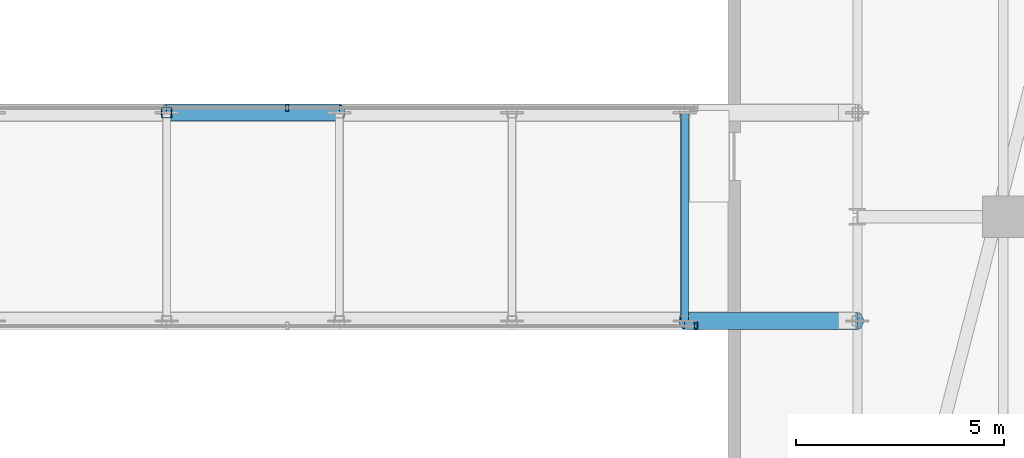
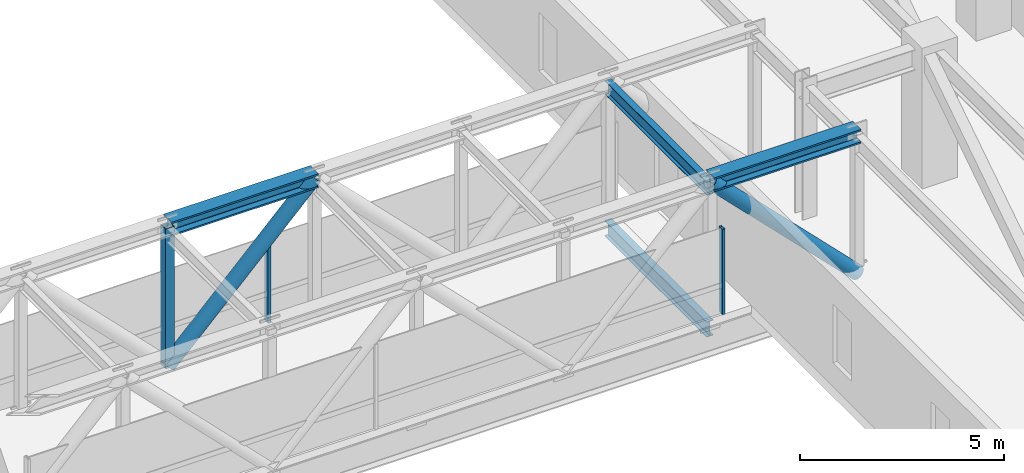
# One storey, part 10 of 42: 7 members, 2 beams, 2 elements without a shape of their own.
"""IFC4 building model written with IfcOpenShell, lengths in metres."""

from ifc_helpers import new_model, si_unit, direction, frame, origin, origin_2d, place, context, subcontext, project, spatial, hollow_rectangle, hollow_circle, i_section, extrude, material, material_profile, profile_set, type_object, element, aggregate, save


model = new_model("IFC4")

# Units and contexts
model_context = context("Model", 3, precision=1e-05, world=origin(), true_north=direction((0.0, 1.0)))
body_context = subcontext(model_context, "Body", "Model", "MODEL_VIEW")
ifc_project = project(units=[si_unit("LENGTHUNIT", "METRE"), si_unit("AREAUNIT", "SQUARE_METRE"), si_unit("VOLUMEUNIT", "CUBIC_METRE"), si_unit("PLANEANGLEUNIT", "RADIAN"), si_unit("MASSUNIT", "GRAM", prefix="KILO")], contexts=[model_context])

# Site, building, storey
site_placement = place(None, origin())
site = spatial("IfcSite", under=ifc_project, at=site_placement, CompositionType="ELEMENT")
building_placement = place(site_placement, origin())
building = spatial("IfcBuilding", under=site, at=building_placement, Name="Thornwick Lancets Civic Towers", CompositionType="ELEMENT")
storey_placement = place(building_placement, frame((0.0, 0.0, 221.699951171875)))
storey = spatial("IfcBuildingStorey", under=building, at=storey_placement, Name="L59", CompositionType="ELEMENT", Elevation=221.699951171875)

# Beams
ifc_material_1 = material(Name="Steel S355JR", Category="steel")
ifc_material_profile_1 = material_profile(ifc_material_1, i_section(OverallWidth=0.179443359375, OverallDepth=0.412841796875, WebThickness=0.009521484375, FlangeThickness=0.01611328125, FilletRadius=0.01025390625, at=origin_2d()), Name="UKB 406x178x74")
ifc_profile_set_1 = profile_set([ifc_material_profile_1], Name="Steel S355JR")
beam_type_1 = type_object("IfcBeamType", Name="BM_JOIST_406_74", PredefinedType="JOIST", material=ifc_profile_set_1)
beam_1_placement = place(storey_placement, frame((63.550048828125, 24.5, 3.753662109375), z_axis=(0.0, 1.0, 0.0), x_axis=(-1.0, 0.0, 0.0)))
element("IfcBeam", 1, at=beam_1_placement, inside=storey, type_object=beam_type_1, Name="BM-L59-SB-RBM-5", PredefinedType="JOIST", context=body_context, shape_type="SweptSolid", body=[
    extrude(i_section(OverallWidth=0.179443359375, OverallDepth=0.412841796875, WebThickness=0.009521484375, FlangeThickness=0.01611328125, FilletRadius=0.01025390625, at=origin_2d()), origin(), (0.0, 0.0, 1.0), 5.0),
])
ifc_material_profile_2 = material_profile(ifc_material_1, i_section(OverallWidth=0.19189453125, OverallDepth=0.46337890625, WebThickness=0.010498046875, FlangeThickness=0.017578125, FilletRadius=0.01025390625, at=origin_2d()), Name="UKB 457x191x89")
ifc_profile_set_2 = profile_set([ifc_material_profile_2], Name="Steel S355JR")
beam_type_2 = type_object("IfcBeamType", Name="BM_JOIST_457_89", PredefinedType="JOIST", material=ifc_profile_set_2)
beam_2_placement = place(storey_placement, frame((63.550048828125, 24.5, -0.45166015625), z_axis=(0.0, 1.0, 0.0), x_axis=(-1.0, 0.0, 0.0)))
element("IfcBeam", 2, at=beam_2_placement, inside=storey, type_object=beam_type_2, Name="BM-L59-SB-XBM-5", PredefinedType="JOIST", context=body_context, shape_type="SweptSolid", body=[
    extrude(i_section(OverallWidth=0.19189453125, OverallDepth=0.46337890625, WebThickness=0.010498046875, FlangeThickness=0.017578125, FilletRadius=0.01025390625, at=origin_2d()), origin(), (0.0, 0.0, 1.0), 5.0),
])

# Curtain wall, member
ifc_material_2 = material(Name="Skybridge acoustic laminated-glass curtain wall", Category="glass")
curtain_wall_type = type_object("IfcCurtainWallType", Name="CW_SYS_06", PredefinedType="NOTDEFINED", material=ifc_material_2)
curtain_wall_1_placement = place(storey_placement, origin())
curtain_wall_1 = element("IfcCurtainWall", 3, at=curtain_wall_1_placement, inside=storey, type_object=curtain_wall_type, Name="L59 Curtain Wall CW-L59-SKYBRIDGE-S", PredefinedType="NOTDEFINED")
ifc_material_3 = material(Name="Thermally broken bronze aluminium S355", Category="steel")
ifc_material_profile_3 = material_profile(ifc_material_3, hollow_rectangle(XDim=0.074951171875, YDim=0.179931640625, WallThickness=0.006103515625, at=origin_2d()), Name="RHS 180x75x6")
ifc_profile_set_3 = profile_set([ifc_material_profile_3], Name="Thermally broken bronze aluminium S355")
member_type_1 = type_object("IfcMemberType", Name="CW_MUL_180", PredefinedType="MULLION", material=ifc_profile_set_3)
member_1_placement = place(storey_placement, frame((63.820068359375, 24.3798828125, 0.0), z_axis=(0.0, 0.0, 1.0), x_axis=(1.0, 0.0, 0.0)))
member_1 = element("IfcMember", 4, at=member_1_placement, type_object=member_type_1, Name="CW-L59-SKYBRIDGE-S Mullion 2", PredefinedType="MULLION", context=body_context, shape_type="SweptSolid", body=[
    extrude(hollow_rectangle(XDim=0.074951171875, YDim=0.179931640625, WallThickness=0.006103515625, at=origin_2d()), origin(), (0.0, 0.0, 1.0), 2.550048828125),
])
aggregate(curtain_wall_1, [member_1])

curtain_wall_2_placement = place(storey_placement, origin())
curtain_wall_2 = element("IfcCurtainWall", 5, at=curtain_wall_2_placement, inside=storey, type_object=curtain_wall_type, Name="L59 Curtain Wall CW-L59-SKYBRIDGE-N", PredefinedType="NOTDEFINED")
member_2_placement = place(storey_placement, frame((54.0, 29.6201171875, 0.0), z_axis=(0.0, 0.0, 1.0), x_axis=(1.0, 0.0, 0.0)))
member_2 = element("IfcMember", 6, at=member_2_placement, type_object=member_type_1, Name="CW-L59-SKYBRIDGE-N Mullion 1", PredefinedType="MULLION", context=body_context, shape_type="SweptSolid", body=[
    extrude(hollow_rectangle(XDim=0.074951171875, YDim=0.179931640625, WallThickness=0.006103515625, at=origin_2d()), origin(), (0.0, 0.0, 1.0), 2.550048828125),
])
aggregate(curtain_wall_2, [member_2])

# Members
ifc_material_4 = material(Name="Steel S460M", Category="steel")
ifc_material_profile_4 = material_profile(ifc_material_4, i_section(OverallWidth=0.406982421875, OverallDepth=0.4189453125, WebThickness=0.030517578125, FlangeThickness=0.04931640625, FilletRadius=0.01513671875, at=origin_2d()), Name="UKC 356x406x393")
ifc_profile_set_4 = profile_set([ifc_material_profile_4], Name="Steel S460M")
member_type_2 = type_object("IfcMemberType", Name="MEM_BRG_CHORD_393", PredefinedType="CHORD", material=ifc_profile_set_4)
for number, where, z_axis, x_axis, name in (
    (7, (63.550048828125, 24.5, 3.9599609375), (1.0, 0.0, 0.0), (0.0, 1.0, 0.0), "L59 Skybridge Top Chord 1-5"),
    (8, (51.10009765625, 29.5, 3.9599609375), (1.0, 0.0, 0.0), (0.0, 1.0, 0.0), "L59 Skybridge Top Chord 2-2"),
):
    element("IfcMember", number, at=place(storey_placement, frame(where, z_axis=z_axis, x_axis=x_axis)), inside=storey, type_object=member_type_2, Name=name, PredefinedType="CHORD", context=body_context, shape_type="SweptSolid", body=[
        extrude(i_section(OverallWidth=0.406982421875, OverallDepth=0.4189453125, WebThickness=0.030517578125, FlangeThickness=0.04931640625, FilletRadius=0.01513671875, at=origin_2d()), origin(), (0.0, 0.0, 1.0), 4.14990234375),
    ])
ifc_material_profile_5 = material_profile(ifc_material_4, hollow_circle(Radius=0.203125, WallThickness=0.02001953125, at=origin_2d()), Name="CHS 406.4x20")
ifc_profile_set_5 = profile_set([ifc_material_profile_5], Name="Steel S460M")
member_type_3 = type_object("IfcMemberType", Name="MEM_BRG_WEB_CHS406", PredefinedType="BRACE", material=ifc_profile_set_5)
for number, where, z_axis, x_axis, name in (
    (9, (63.550048828125, 24.5, 3.9599609375), (0.704553062157, 0.0, -0.709651310578), (0.0, 1.0, 0.0), "L59 Skybridge Truss Diagonal 1-5"),
    (10, (51.10009765625, 29.5, -0.219970703125), (0.704553062157, 0.0, 0.709651310578), (0.0, 1.0, 0.0), "L59 Skybridge Truss Diagonal 2-2"),
):
    element("IfcMember", number, at=place(storey_placement, frame(where, z_axis=z_axis, x_axis=x_axis)), inside=storey, type_object=member_type_3, Name=name, PredefinedType="BRACE", context=body_context, shape_type="SweptSolid", body=[
        extrude(hollow_circle(Radius=0.203125, WallThickness=0.02001953125, at=origin_2d()), origin(), (0.0, 0.0, 1.0), 5.89013671875),
    ])
ifc_material_profile_6 = material_profile(ifc_material_4, hollow_rectangle(XDim=0.25, YDim=0.25, WallThickness=0.01611328125, at=origin_2d()), Name="SHS 250x250x16")
ifc_profile_set_6 = profile_set([ifc_material_profile_6], Name="Steel S460M")
member_type_4 = type_object("IfcMemberType", Name="MEM_BRG_WEB_SHS250", PredefinedType="BRACE", material=ifc_profile_set_6)
member_3_placement = place(storey_placement, frame((51.10009765625, 29.5, -0.219970703125), z_axis=(0.0, 0.0, 1.0), x_axis=(1.0, 0.0, 0.0)))
element("IfcMember", 11, at=member_3_placement, inside=storey, type_object=member_type_4, Name="L59 Skybridge Truss Post 2-2", PredefinedType="BRACE", context=body_context, shape_type="SweptSolid", body=[
    extrude(hollow_rectangle(XDim=0.25, YDim=0.25, WallThickness=0.01611328125, at=origin_2d()), origin(), (0.0, 0.0, 1.0), 4.179931640625),
])

save(model, "model.ifc")
